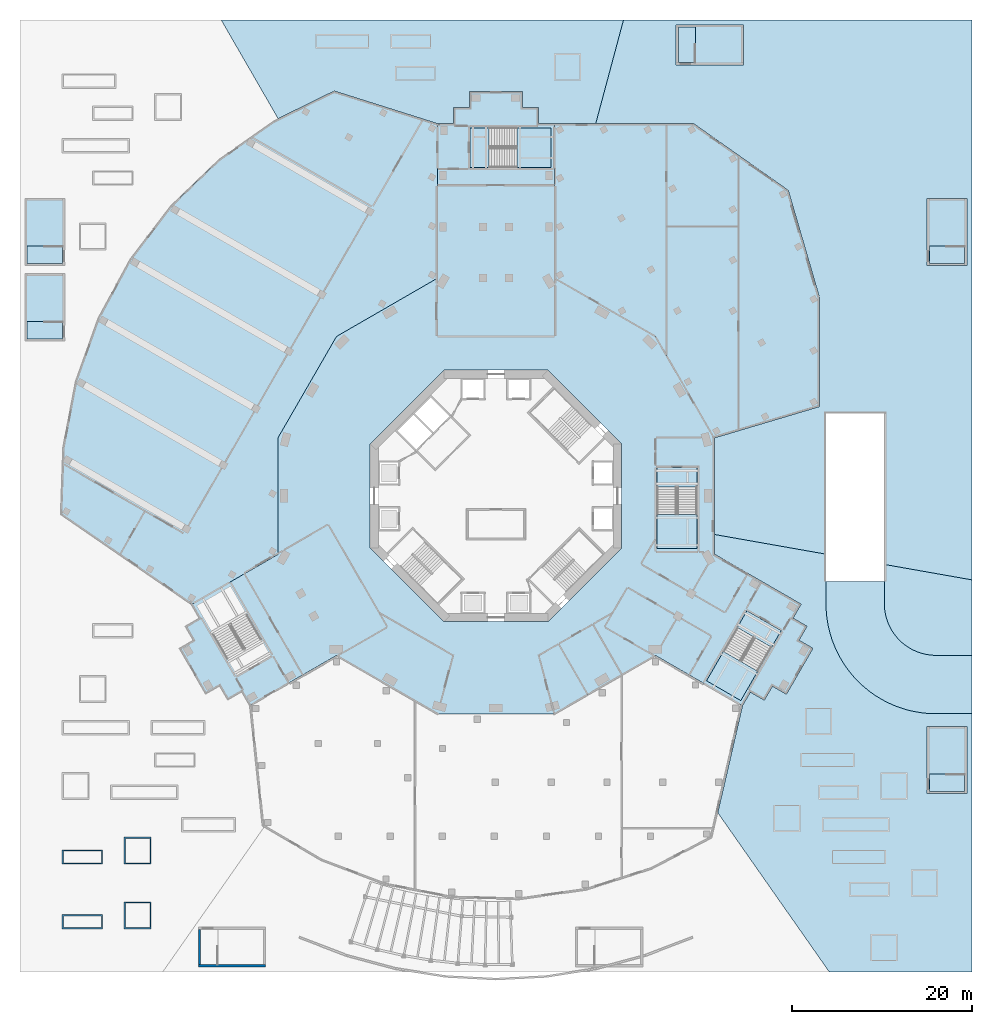
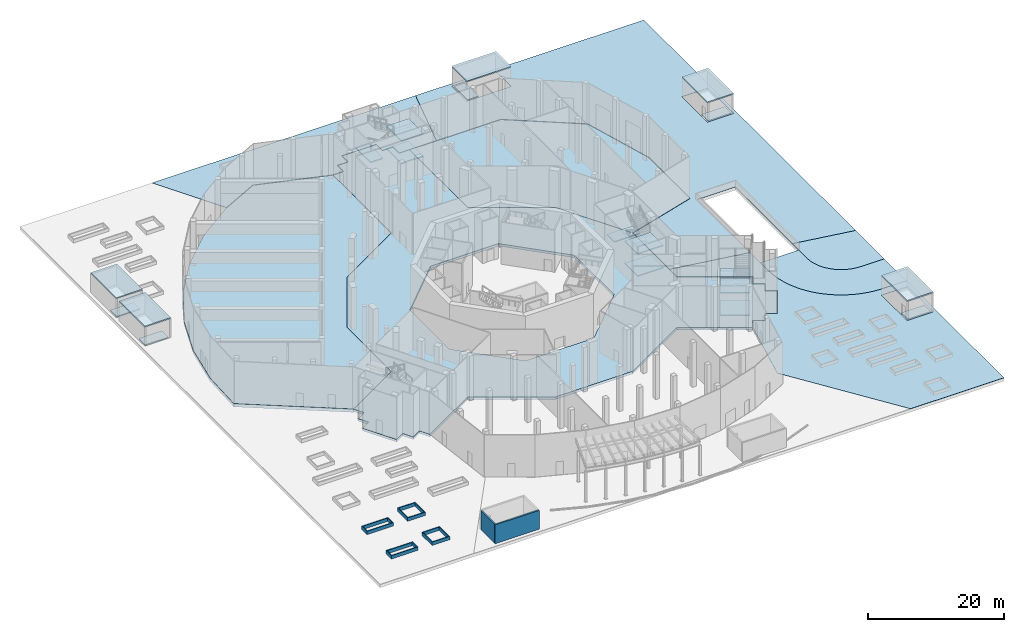
# One storey, part 4 of 30: 27 slabs, 6 walls, 3 elements without a shape of their own.
"""IFC4 building model written with IfcOpenShell, lengths in metres."""

from ifc_helpers import new_model, si_unit, direction, frame, frame_2d, origin, place, context, subcontext, project, spatial, polyline, rectangle, outline, extrude, material, layer, layer_set, type_object, element, aggregate, save


model = new_model("IFC4")

# Units and contexts
model_context = context("Model", 3, precision=1e-05, world=origin(), true_north=direction((0.0, 1.0)))
body_context = subcontext(model_context, "Body", "Model", "MODEL_VIEW")
ifc_project = project(units=[si_unit("LENGTHUNIT", "METRE"), si_unit("AREAUNIT", "SQUARE_METRE"), si_unit("VOLUMEUNIT", "CUBIC_METRE"), si_unit("PLANEANGLEUNIT", "RADIAN"), si_unit("MASSUNIT", "GRAM", prefix="KILO")], contexts=[model_context])

# Site, building, storey
site_placement = place(None, origin())
site = spatial("IfcSite", under=ifc_project, at=site_placement, CompositionType="ELEMENT")
building_placement = place(site_placement, origin())
building = spatial("IfcBuilding", under=site, at=building_placement, Name="Verdalira Terraces Hotel", CompositionType="ELEMENT")
storey_placement = place(building_placement, origin())
storey = spatial("IfcBuildingStorey", under=building, at=storey_placement, Name="L00", CompositionType="ELEMENT", Elevation=0.0)

# Slabs
ifc_material_1 = material(Name="Concrete C40", Category="concrete")
ifc_layer_1 = layer(ifc_material_1, 0.449951171875)
ifc_layer_set_1 = layer_set([ifc_layer_1], Name="Floor slab 450 C40")
slab_type_1 = type_object("IfcSlabType", Name="Floor slab 450 C40", PredefinedType="FLOOR", material=ifc_layer_set_1)
slab_1_placement = place(storey_placement, frame((0.0, 0.0, -0.449951)))
element("IfcSlab", 1, at=slab_1_placement, inside=storey, type_object=slab_type_1, Name="Floor slab L00", PredefinedType="FLOOR", context=body_context, shape_type="SweptSolid", body=[
    extrude(outline(polyline([(17.758301, 17.758301), (6.5, 24.258301), (6.5, 41.399902), (4.699951, 41.399902), (4.699951, 43.199951), (2.899902, 43.199951), (2.899902, 45.0), (-2.899902, 45.0), (-2.899902, 43.199951), (-4.699951, 43.199951), (-4.699951, 41.399902), (-6.5, 41.399902), (-6.5, 24.258301), (-17.758301, 17.758301), (-24.258301, 6.5), (-24.258301, -6.5), (-33.907227, -12.070801), (-33.007324, -13.629639), (-34.566162, -14.529785), (-33.666016, -16.088379), (-35.225098, -16.988525), (-32.324951, -22.011475), (-30.766113, -21.111572), (-29.866211, -22.67041), (-28.307373, -21.770264), (-27.407227, -23.329102), (-17.758301, -17.758301), (-6.5, -24.258301), (6.5, -24.258301), (17.758301, -17.758301), (27.407227, -23.329102), (28.307373, -21.770264), (29.866211, -22.67041), (30.766113, -21.111572), (32.324951, -22.011475), (35.225098, -16.988525), (33.666016, -16.088379), (34.566162, -14.529785), (33.007324, -13.629639), (33.907227, -12.070801), (24.258301, -6.5), (24.258301, 6.5), (17.758301, 17.758301)]), holes=[polyline([(5.799072, 14.0), (14.0, 5.799072), (14.0, -5.799072), (5.799072, -14.0), (-5.799072, -14.0), (-14.0, -5.799072), (-14.0, 5.799072), (-5.799072, 14.0), (5.799072, 14.0)])]), origin(), (0.0, 0.0, 1.0), 0.449951),
])
ifc_material_2 = material(Name="Granite paving setts", Category="masonry")
ifc_layer_2 = layer(ifc_material_2, 0.06005859375)
ifc_layer_set_2 = layer_set([ifc_layer_2], Name="Paving 60 mm granite setts")
slab_type_2 = type_object("IfcSlabType", Name="Paving 60 mm granite setts", PredefinedType="USERDEFINED", material=ifc_layer_set_2)
slab_2_placement = place(storey_placement, frame((0.0, 0.0, -0.060059)))
element("IfcSlab", 2, at=slab_2_placement, inside=storey, type_object=slab_type_2, Name="Garden terrace paving", ObjectType="PAVING", PredefinedType="USERDEFINED", context=body_context, shape_type="SweptSolid", body=[
    extrude(outline(polyline([(49.053223, -17.75), (48.624023, -17.736084), (48.249756, -17.699219), (47.878662, -17.637695), (47.512207, -17.55249), (47.152344, -17.443115), (46.800293, -17.310791), (46.45752, -17.155518), (46.125977, -16.978027), (45.806396, -16.779541), (45.500732, -16.560303), (45.209961, -16.321777), (44.935303, -16.064697), (44.678223, -15.790039), (44.439697, -15.499268), (44.220459, -15.193604), (44.021973, -14.874023), (43.844482, -14.54248), (43.689209, -14.199707), (43.556885, -13.847656), (43.44751, -13.487793), (43.362305, -13.121338), (43.300781, -12.750244), (43.263916, -12.375977), (43.25, -11.946777), (43.25, -7.626221), (53.0, -9.345215), (53.0, -17.75), (49.053223, -17.75)])), origin(), (0.0, 0.0, 1.0), 0.060059),
])
slab_3_placement = place(storey_placement, frame((0.0, 0.0, -0.060059)))
element("IfcSlab", 3, at=slab_3_placement, inside=storey, type_object=slab_type_2, Name="Garden terrace paving", ObjectType="PAVING", PredefinedType="USERDEFINED", context=body_context, shape_type="SweptSolid", body=[
    extrude(outline(polyline([(36.751709, -12.106201), (36.770996, -12.695068), (36.784912, -12.907227), (36.842529, -13.493408), (36.870361, -13.704102), (36.966309, -14.285156), (37.007812, -14.493896), (37.141602, -15.067383), (37.196533, -15.272705), (37.367676, -15.836426), (37.435791, -16.037842), (37.643311, -16.589111), (37.724854, -16.7854), (37.967773, -17.322021), (38.062012, -17.512695), (38.3396, -18.031982), (38.445801, -18.216309), (38.756836, -18.716309), (38.875, -18.893311), (39.218018, -19.371826), (39.347412, -19.540527), (39.721191, -19.99585), (39.861328, -20.155762), (40.263916, -20.585693), (40.414307, -20.736084), (40.844238, -21.138672), (41.00415, -21.278809), (41.459473, -21.652588), (41.628174, -21.781982), (42.106689, -22.125), (42.283691, -22.243164), (42.783691, -22.554199), (42.968018, -22.6604), (43.487305, -22.937988), (43.677979, -23.032227), (44.2146, -23.275146), (44.410889, -23.356689), (44.962158, -23.564209), (45.163574, -23.632324), (45.727295, -23.803467), (45.932617, -23.858398), (46.506104, -23.992188), (46.714844, -24.033691), (47.295898, -24.129639), (47.506592, -24.157471), (48.092773, -24.215088), (48.304932, -24.229004), (48.893799, -24.248291), (49.0, -24.25), (53.0, -24.25), (53.0, -53.0), (37.111084, -53.0), (24.69751, -35.271484), (27.454346, -23.347656), (28.325684, -21.838623), (29.884521, -22.738525), (30.784424, -21.179688), (32.343262, -22.079834), (35.293213, -16.970215), (33.734375, -16.070312), (34.634521, -14.511475), (33.075684, -13.611328), (33.975586, -12.05249), (24.30835, -6.471191), (24.30835, -4.286133), (36.75, -6.47998), (36.75, -12.0), (36.751709, -12.106201)]), holes=[polyline([(48.0, -25.649902), (48.0, -33.149902), (52.449951, -33.149902), (52.449951, -25.649902), (48.0, -25.649902)])]), origin(), (0.0, 0.0, 1.0), 0.060059),
])
slab_4_placement = place(storey_placement, frame((0.0, 0.0, -0.060059)))
element("IfcSlab", 4, at=slab_4_placement, inside=storey, type_object=slab_type_2, Name="Service yard paving", ObjectType="PAVING", PredefinedType="USERDEFINED", context=body_context, shape_type="SweptSolid", body=[
    extrude(outline(polyline([(53.0, -9.345215), (43.25, -7.626221), (43.25, 9.199951), (36.75, 9.199951), (36.75, -6.47998), (24.30835, -4.286133), (24.30835, 6.462646), (36.050049, 9.962646), (36.050049, 22.00708), (32.543213, 34.030762), (22.015869, 41.449951), (11.106445, 41.449951), (14.201416, 53.0), (53.0, 53.0), (53.0, -9.345215)]), holes=[polyline([(48.0, 25.649902), (52.449951, 25.649902), (52.449951, 33.149902), (48.0, 33.149902), (48.0, 25.649902)]), polyline([(27.550049, 52.449951), (20.050049, 52.449951), (20.050049, 48.0), (27.550049, 48.0), (27.550049, 52.449951)])]), origin(), (0.0, 0.0, 1.0), 0.060059),
])
slab_5_placement = place(storey_placement, frame((0.0, 0.0, -0.060059)))
element("IfcSlab", 5, at=slab_5_placement, inside=storey, type_object=slab_type_2, Name="North walk paving", ObjectType="PAVING", PredefinedType="USERDEFINED", context=body_context, shape_type="SweptSolid", body=[
    extrude(outline(polyline([(11.106445, 41.449951), (4.75, 41.449951), (4.75, 43.25), (2.949951, 43.25), (2.949951, 45.050049), (-2.949951, 45.050049), (-2.949951, 43.25), (-4.75, 43.25), (-4.75, 41.449951), (-6.492188, 41.449951), (-18.006836, 45.088623), (-24.256348, 42.013184), (-30.599609, 53.0), (14.201416, 53.0), (11.106445, 41.449951)])), origin(), (0.0, 0.0, 1.0), 0.060059),
])

# Stair, slabs
ifc_material_3 = material(Name="Concrete C40", Category="concrete")
stair_type = type_object("IfcStairType", Name="Podium stair 48 risers", PredefinedType="HALF_TURN_STAIR", material=ifc_material_3)
stair_1_placement = place(storey_placement, origin())
stair_1 = element("IfcStair", 6, at=stair_1_placement, inside=storey, type_object=stair_type, Name="L00 Exit stair PS1", PredefinedType="HALF_TURN_STAIR")
ifc_material_4 = material(Name="Concrete C40", Category="concrete")
ifc_layer_3 = layer(ifc_material_4, 0.199951171875)
ifc_layer_set_3 = layer_set([ifc_layer_3], Name="Podium stair landing 200 mm")
slab_type_3 = type_object("IfcSlabType", Name="Podium stair landing 200 mm", PredefinedType="LANDING", material=ifc_layer_set_3)
slab_6_placement = place(storey_placement, frame((0.0, 0.0, 1.800049)))
slab_6 = element("IfcSlab", 7, at=slab_6_placement, type_object=slab_type_3, Name="PS1 landing 1", PredefinedType="LANDING", context=body_context, shape_type="SweptSolid", body=[
    extrude(outline(polyline([(6.101562, 41.001465), (2.327881, 41.001465), (2.327881, 36.598389), (6.101562, 36.598389), (6.101562, 41.001465)])), origin(), (0.0, 0.0, 1.0), 0.199951),
])
slab_7_placement = place(storey_placement, frame((0.0, 0.0, 3.800049)))
slab_7 = element("IfcSlab", 8, at=slab_7_placement, type_object=slab_type_3, Name="PS1 landing 2", PredefinedType="LANDING", context=body_context, shape_type="SweptSolid", body=[
    extrude(outline(polyline([(-2.901611, 41.001465), (-2.901611, 36.598389), (-0.748047, 36.598389), (-0.748047, 41.001465), (-2.901611, 41.001465)])), origin(), (0.0, 0.0, 1.0), 0.199951),
])
slab_8_placement = place(storey_placement, frame((0.0, 0.0, 5.800049)))
slab_8 = element("IfcSlab", 9, at=slab_8_placement, type_object=slab_type_3, Name="PS1 landing 3", PredefinedType="LANDING", context=body_context, shape_type="SweptSolid", body=[
    extrude(outline(polyline([(6.101562, 41.001465), (2.327881, 41.001465), (2.327881, 36.598389), (6.101562, 36.598389), (6.101562, 41.001465)])), origin(), (0.0, 0.0, 1.0), 0.199951),
])
aggregate(stair_1, [slab_6, slab_7, slab_8])

stair_2_placement = place(storey_placement, origin())
stair_2 = element("IfcStair", 10, at=stair_2_placement, inside=storey, type_object=stair_type, Name="L00 Exit stair PS3", PredefinedType="HALF_TURN_STAIR")
slab_9_placement = place(storey_placement, frame((0.0, 0.0, 1.800049)))
slab_9 = element("IfcSlab", 11, at=slab_9_placement, type_object=slab_type_3, Name="PS3 landing 1", PredefinedType="LANDING", context=body_context, shape_type="SweptSolid", body=[
    extrude(outline(polyline([(27.261475, -22.784912), (29.148193, -19.516846), (25.335205, -17.31543), (23.448242, -20.583252), (27.261475, -22.784912)])), origin(), (0.0, 0.0, 1.0), 0.199951),
])
slab_10_placement = place(storey_placement, frame((0.0, 0.0, 3.800049)))
slab_10 = element("IfcSlab", 12, at=slab_10_placement, type_object=slab_type_3, Name="PS3 landing 2", PredefinedType="LANDING", context=body_context, shape_type="SweptSolid", body=[
    extrude(outline(polyline([(31.762939, -14.988037), (27.949707, -12.786621), (26.873047, -14.651611), (30.686279, -16.853027), (31.762939, -14.988037)])), origin(), (0.0, 0.0, 1.0), 0.199951),
])
slab_11_placement = place(storey_placement, frame((0.0, 0.0, 5.800049)))
slab_11 = element("IfcSlab", 13, at=slab_11_placement, type_object=slab_type_3, Name="PS3 landing 3", PredefinedType="LANDING", context=body_context, shape_type="SweptSolid", body=[
    extrude(outline(polyline([(27.261475, -22.784912), (29.148193, -19.516846), (25.335205, -17.31543), (23.448242, -20.583252), (27.261475, -22.784912)])), origin(), (0.0, 0.0, 1.0), 0.199951),
])
aggregate(stair_2, [slab_9, slab_10, slab_11])

stair_3_placement = place(storey_placement, origin())
stair_3 = element("IfcStair", 14, at=stair_3_placement, inside=storey, type_object=stair_type, Name="L00 Exit stair PS4", PredefinedType="HALF_TURN_STAIR")
slab_12_placement = place(storey_placement, frame((0.0, 0.0, 1.800049)))
slab_12 = element("IfcSlab", 15, at=slab_12_placement, type_object=slab_type_3, Name="PS4 landing 1", PredefinedType="LANDING", context=body_context, shape_type="SweptSolid", body=[
    extrude(outline(polyline([(22.359863, -5.851562), (22.359863, -2.077881), (17.956787, -2.077881), (17.956787, -5.851562), (22.359863, -5.851562)])), origin(), (0.0, 0.0, 1.0), 0.199951),
])
slab_13_placement = place(storey_placement, frame((0.0, 0.0, 3.800049)))
slab_13 = element("IfcSlab", 16, at=slab_13_placement, type_object=slab_type_3, Name="PS4 landing 2", PredefinedType="LANDING", context=body_context, shape_type="SweptSolid", body=[
    extrude(outline(polyline([(22.359863, 3.151611), (17.956787, 3.151611), (17.956787, 0.998047), (22.359863, 0.998047), (22.359863, 3.151611)])), origin(), (0.0, 0.0, 1.0), 0.199951),
])
slab_14_placement = place(storey_placement, frame((0.0, 0.0, 5.800049)))
slab_14 = element("IfcSlab", 17, at=slab_14_placement, type_object=slab_type_3, Name="PS4 landing 3", PredefinedType="LANDING", context=body_context, shape_type="SweptSolid", body=[
    extrude(outline(polyline([(22.359863, -5.851562), (22.359863, -2.077881), (17.956787, -2.077881), (17.956787, -5.851562), (22.359863, -5.851562)])), origin(), (0.0, 0.0, 1.0), 0.199951),
])
aggregate(stair_3, [slab_12, slab_13, slab_14])

# Slabs
ifc_material_5 = material(Name="Concrete C40", Category="concrete")
ifc_layer_4 = layer(ifc_material_5, 0.199951171875)
ifc_layer_set_4 = layer_set([ifc_layer_4], Name="Stair enclosure floor slab 200 C40")
slab_type_4 = type_object("IfcSlabType", Name="Stair enclosure floor slab 200 C40", PredefinedType="FLOOR", material=ifc_layer_set_4)
slab_15_placement = place(storey_placement, frame((0.0, 0.0, -0.199951)))
element("IfcSlab", 18, at=slab_15_placement, inside=storey, type_object=slab_type_4, Name="Stair BS2 floor slab", PredefinedType="FLOOR", context=body_context, shape_type="SweptSolid", body=[
    extrude(outline(polyline([(48.25, -30.975098), (52.199951, -30.975098), (52.199951, -32.899902), (48.25, -32.899902), (48.25, -30.975098)])), origin(), (0.0, 0.0, 1.0), 0.199951),
])
slab_16_placement = place(storey_placement, frame((0.0, 0.0, -0.199951)))
element("IfcSlab", 19, at=slab_16_placement, inside=storey, type_object=slab_type_4, Name="Stair BS3 floor slab", PredefinedType="FLOOR", context=body_context, shape_type="SweptSolid", body=[
    extrude(outline(polyline([(20.300049, 52.199951), (22.225098, 52.199951), (22.225098, 48.25), (20.300049, 48.25), (20.300049, 52.199951)])), origin(), (0.0, 0.0, 1.0), 0.199951),
])
slab_17_placement = place(storey_placement, frame((0.0, 0.0, -0.199951)))
element("IfcSlab", 20, at=slab_17_placement, inside=storey, type_object=slab_type_4, Name="Stair BS4 floor slab", PredefinedType="FLOOR", context=body_context, shape_type="SweptSolid", body=[
    extrude(outline(polyline([(-52.199951, 27.824951), (-48.25, 27.824951), (-48.25, 25.899902), (-52.199951, 25.899902), (-52.199951, 27.824951)])), origin(), (0.0, 0.0, 1.0), 0.199951),
])
slab_18_placement = place(storey_placement, frame((0.0, 0.0, -0.199951)))
element("IfcSlab", 21, at=slab_18_placement, inside=storey, type_object=slab_type_4, Name="Stair BS5 floor slab", PredefinedType="FLOOR", context=body_context, shape_type="SweptSolid", body=[
    extrude(outline(polyline([(48.25, 27.824951), (52.199951, 27.824951), (52.199951, 25.899902), (48.25, 25.899902), (48.25, 27.824951)])), origin(), (0.0, 0.0, 1.0), 0.199951),
])
slab_19_placement = place(storey_placement, frame((0.0, 0.0, -0.199951)))
element("IfcSlab", 22, at=slab_19_placement, inside=storey, type_object=slab_type_4, Name="Stair BS7 floor slab", PredefinedType="FLOOR", context=body_context, shape_type="SweptSolid", body=[
    extrude(outline(polyline([(-52.199951, 19.425049), (-48.25, 19.425049), (-48.25, 17.5), (-52.199951, 17.5), (-52.199951, 19.425049)])), origin(), (0.0, 0.0, 1.0), 0.199951),
])
ifc_material_6 = material(Name="Concrete C40", Category="concrete")
ifc_layer_5 = layer(ifc_material_6, 0.199951171875)
ifc_layer_set_5 = layer_set([ifc_layer_5], Name="Stair head house roof 200 C40")
slab_type_5 = type_object("IfcSlabType", Name="Stair head house roof 200 C40", PredefinedType="ROOF", material=ifc_layer_set_5)
slab_20_placement = place(storey_placement, frame((0.0, 0.0, 3.399902)))
element("IfcSlab", 23, at=slab_20_placement, inside=storey, type_object=slab_type_5, Name="Stair BS2 head house roof", PredefinedType="ROOF", context=body_context, shape_type="SweptSolid", body=[
    extrude(outline(polyline([(48.0, -33.149902), (48.0, -25.649902), (52.449951, -25.649902), (52.449951, -33.149902), (48.0, -33.149902)])), origin(), (0.0, 0.0, 1.0), 0.200195),
])
slab_21_placement = place(storey_placement, frame((0.0, 0.0, 3.399902)))
element("IfcSlab", 24, at=slab_21_placement, inside=storey, type_object=slab_type_5, Name="Stair BS3 head house roof", PredefinedType="ROOF", context=body_context, shape_type="SweptSolid", body=[
    extrude(outline(polyline([(20.050049, 48.0), (20.050049, 52.449951), (27.550049, 52.449951), (27.550049, 48.0), (20.050049, 48.0)])), origin(), (0.0, 0.0, 1.0), 0.200195),
])
slab_22_placement = place(storey_placement, frame((0.0, 0.0, 3.399902)))
element("IfcSlab", 25, at=slab_22_placement, inside=storey, type_object=slab_type_5, Name="Stair BS4 head house roof", PredefinedType="ROOF", context=body_context, shape_type="SweptSolid", body=[
    extrude(outline(polyline([(-52.449951, 25.649902), (-52.449951, 33.149902), (-48.0, 33.149902), (-48.0, 25.649902), (-52.449951, 25.649902)])), origin(), (0.0, 0.0, 1.0), 0.200195),
])
slab_23_placement = place(storey_placement, frame((0.0, 0.0, 3.399902)))
element("IfcSlab", 26, at=slab_23_placement, inside=storey, type_object=slab_type_5, Name="Stair BS5 head house roof", PredefinedType="ROOF", context=body_context, shape_type="SweptSolid", body=[
    extrude(outline(polyline([(48.0, 25.649902), (48.0, 33.149902), (52.449951, 33.149902), (52.449951, 25.649902), (48.0, 25.649902)])), origin(), (0.0, 0.0, 1.0), 0.200195),
])
slab_24_placement = place(storey_placement, frame((0.0, 0.0, 3.399902)))
element("IfcSlab", 27, at=slab_24_placement, inside=storey, type_object=slab_type_5, Name="Stair BS7 head house roof", PredefinedType="ROOF", context=body_context, shape_type="SweptSolid", body=[
    extrude(outline(polyline([(-52.449951, 17.25), (-52.449951, 24.75), (-48.0, 24.75), (-48.0, 17.25), (-52.449951, 17.25)])), origin(), (0.0, 0.0, 1.0), 0.200195),
])
ifc_material_7 = material(Name="Concrete block paving", Category="concrete")
ifc_layer_6 = layer(ifc_material_7, 0.06005859375)
ifc_layer_set_6 = layer_set([ifc_layer_6], Name="Vehicle drive paving 60 mm concrete blocks")
slab_type_6 = type_object("IfcSlabType", Name="Vehicle drive paving 60 mm concrete blocks", PredefinedType="USERDEFINED", material=ifc_layer_set_6)
slab_25_placement = place(storey_placement, frame((0.0, 0.0, -0.060059)))
element("IfcSlab", 28, at=slab_25_placement, inside=storey, type_object=slab_type_6, Name="Vehicle drive paving", ObjectType="PAVING", PredefinedType="USERDEFINED", context=body_context, shape_type="SweptSolid", body=[
    extrude(outline(polyline([(48.092773, -24.215088), (47.506592, -24.157471), (47.295898, -24.129639), (46.714844, -24.033691), (46.506104, -23.992188), (45.932617, -23.858398), (45.727295, -23.803467), (45.163574, -23.632324), (44.962158, -23.564209), (44.410889, -23.356689), (44.2146, -23.275146), (43.677979, -23.032227), (43.487305, -22.937988), (42.968018, -22.6604), (42.783691, -22.554199), (42.283691, -22.243164), (42.106689, -22.125), (41.628174, -21.781982), (41.459473, -21.652588), (41.00415, -21.278809), (40.844238, -21.138672), (40.414307, -20.736084), (40.263916, -20.585693), (39.861328, -20.155762), (39.721191, -19.99585), (39.347412, -19.540527), (39.218018, -19.371826), (38.875, -18.893311), (38.756836, -18.716309), (38.445801, -18.216309), (38.3396, -18.031982), (38.062012, -17.512695), (37.967773, -17.322021), (37.724854, -16.7854), (37.643311, -16.589111), (37.435791, -16.037842), (37.367676, -15.836426), (37.196533, -15.272705), (37.141602, -15.067383), (37.007812, -14.493896), (36.966309, -14.285156), (36.870361, -13.704102), (36.842529, -13.493408), (36.784912, -12.907227), (36.770996, -12.695068), (36.751709, -12.106201), (36.75, -12.0), (36.75, -9.5), (43.25, -9.5), (43.25, -11.946777), (43.263916, -12.375977), (43.300781, -12.750244), (43.362305, -13.121338), (43.44751, -13.487793), (43.556885, -13.847656), (43.689209, -14.199707), (43.844482, -14.54248), (44.021973, -14.874023), (44.220459, -15.193604), (44.439697, -15.499268), (44.678223, -15.790039), (44.935303, -16.064697), (45.209961, -16.321777), (45.500732, -16.560303), (45.806396, -16.779541), (46.125977, -16.978027), (46.45752, -17.155518), (46.800293, -17.310791), (47.152344, -17.443115), (47.512207, -17.55249), (47.878662, -17.637695), (48.249756, -17.699219), (48.624023, -17.736084), (49.053223, -17.75), (53.0, -17.75), (53.0, -24.25), (49.0, -24.25), (48.893799, -24.248291), (48.304932, -24.229004), (48.092773, -24.215088)])), origin(), (0.0, 0.0, 1.0), 0.060059),
])
ifc_material_8 = material(Name="Concrete C40", Category="concrete")
ifc_layer_7 = layer(ifc_material_8, 0.60009765625)
ifc_layer_set_7 = layer_set([ifc_layer_7], Name="Wing ground slab 600 mm")
slab_type_7 = type_object("IfcSlabType", Name="Wing ground slab 600 mm", PredefinedType="FLOOR", material=ifc_layer_set_7)
slab_26_placement = place(storey_placement, frame((0.0, 0.0, -0.600098)))
element("IfcSlab", 29, at=slab_26_placement, inside=storey, type_object=slab_type_7, Name="Wing ground slab", PredefinedType="FLOOR", context=body_context, shape_type="SweptSolid", body=[
    extrude(outline(polyline([(-48.196777, 5.415527), (-46.794434, 12.748535), (-44.283447, 19.779541), (-40.723145, 26.341553), (-36.197754, 32.279541), (-30.814697, 37.452637), (-24.701416, 41.738281), (-18.002686, 45.034912), (-6.5, 41.399902), (-6.5, 24.258301), (-17.758301, 17.758301), (-24.258301, 6.5), (-24.258301, -6.5), (-33.907227, -12.070801), (-48.456787, -2.045654), (-48.196777, 5.415527)])), origin(), (0.0, 0.0, 1.0), 0.600098),
])
slab_27_placement = place(storey_placement, frame((0.0, 0.0, -0.600098)))
element("IfcSlab", 30, at=slab_27_placement, inside=storey, type_object=slab_type_7, Name="Wing ground slab", PredefinedType="FLOOR", context=body_context, shape_type="SweptSolid", body=[
    extrude(outline(polyline([(22.0, 41.399902), (32.5, 34.0), (36.0, 22.0), (36.0, 10.0), (24.258301, 6.5), (17.758301, 17.758301), (6.5, 24.258301), (6.5, 41.399902), (22.0, 41.399902)])), origin(), (0.0, 0.0, 1.0), 0.600098),
])

# Walls
ifc_material_9 = material(Name="Concrete C40", Category="concrete")
ifc_layer_8 = layer(ifc_material_9, 0.14990234375)
ifc_layer_set_8 = layer_set([ifc_layer_8], Name="Garden planter trough 600")
wall_type_1 = type_object("IfcWallType", Name="Garden planter trough 600", PredefinedType="SOLIDWALL", material=ifc_layer_set_8)
wall_1_placement = place(storey_placement, origin())
element("IfcWall", 31, at=wall_1_placement, inside=storey, type_object=wall_type_1, Name="Garden planter", PredefinedType="SOLIDWALL", context=body_context, shape_type="SweptSolid", body=[
    extrude(outline(polyline([(-48.300049, -48.199951), (-43.800049, -48.199951), (-43.800049, -46.600098), (-48.300049, -46.600098), (-48.300049, -48.199951)]), holes=[polyline([(-48.149902, -48.050049), (-48.149902, -46.75), (-43.949951, -46.75), (-43.949951, -48.050049), (-48.149902, -48.050049)])]), origin(), (0.0, 0.0, 1.0), 0.600098),
])
wall_2_placement = place(storey_placement, origin())
element("IfcWall", 32, at=wall_2_placement, inside=storey, type_object=wall_type_1, Name="Garden planter", PredefinedType="SOLIDWALL", context=body_context, shape_type="SweptSolid", body=[
    extrude(outline(polyline([(-41.399902, -48.199951), (-38.399902, -48.199951), (-38.399902, -45.199951), (-41.399902, -45.199951), (-41.399902, -48.199951)]), holes=[polyline([(-41.25, -48.050049), (-41.25, -45.350098), (-38.550049, -45.350098), (-38.550049, -48.050049), (-41.25, -48.050049)])]), origin(), (0.0, 0.0, 1.0), 0.600098),
])
wall_3_placement = place(storey_placement, origin())
element("IfcWall", 33, at=wall_3_placement, inside=storey, type_object=wall_type_1, Name="Garden planter", PredefinedType="SOLIDWALL", context=body_context, shape_type="SweptSolid", body=[
    extrude(outline(polyline([(-48.300049, -41.0), (-43.800049, -41.0), (-43.800049, -39.399902), (-48.300049, -39.399902), (-48.300049, -41.0)]), holes=[polyline([(-48.149902, -40.850098), (-48.149902, -39.550049), (-43.949951, -39.550049), (-43.949951, -40.850098), (-48.149902, -40.850098)])]), origin(), (0.0, 0.0, 1.0), 0.600098),
])
wall_4_placement = place(storey_placement, origin())
element("IfcWall", 34, at=wall_4_placement, inside=storey, type_object=wall_type_1, Name="Garden planter", PredefinedType="SOLIDWALL", context=body_context, shape_type="SweptSolid", body=[
    extrude(outline(polyline([(-41.399902, -41.0), (-38.399902, -41.0), (-38.399902, -38.0), (-41.399902, -38.0), (-41.399902, -41.0)]), holes=[polyline([(-41.25, -40.850098), (-41.25, -38.149902), (-38.550049, -38.149902), (-38.550049, -40.850098), (-41.25, -40.850098)])]), origin(), (0.0, 0.0, 1.0), 0.600098),
])
ifc_material_10 = material(Name="Concrete C40", Category="concrete")
ifc_layer_9 = layer(ifc_material_10, 0.25)
ifc_layer_set_9 = layer_set([ifc_layer_9], Name="Stair head house wall 250 C40")
wall_type_2 = type_object("IfcWallType", Name="Stair head house wall 250 C40", PredefinedType="SOLIDWALL", material=ifc_layer_set_9)
wall_5_placement = place(storey_placement, frame((-33.149902, -52.324951, 0.0), z_axis=(0.0, 0.0, 1.0), x_axis=(1.0, 0.0, 0.0)))
element("IfcWall", 35, at=wall_5_placement, inside=storey, type_object=wall_type_2, Name="Stair BS1 enclosure wall", PredefinedType="SOLIDWALL", context=body_context, shape_type="SweptSolid", body=[
    extrude(rectangle(XDim=7.5, YDim=0.25, at=frame_2d((3.75, 0.0))), origin(), (0.0, 0.0, 1.0), 3.399902),
])
wall_6_placement = place(storey_placement, frame((-33.024902, -52.199951, 0.0), z_axis=(0.0, 0.0, 1.0), x_axis=(0.0, 1.0, 0.0)))
element("IfcWall", 36, at=wall_6_placement, inside=storey, type_object=wall_type_2, Name="Stair BS1 enclosure wall", PredefinedType="SOLIDWALL", context=body_context, shape_type="SweptSolid", body=[
    extrude(rectangle(XDim=3.949951, YDim=0.25, at=frame_2d((1.975098, 0.0))), origin(), (0.0, 0.0, 1.0), 3.399902),
])

save(model, "model.ifc")
